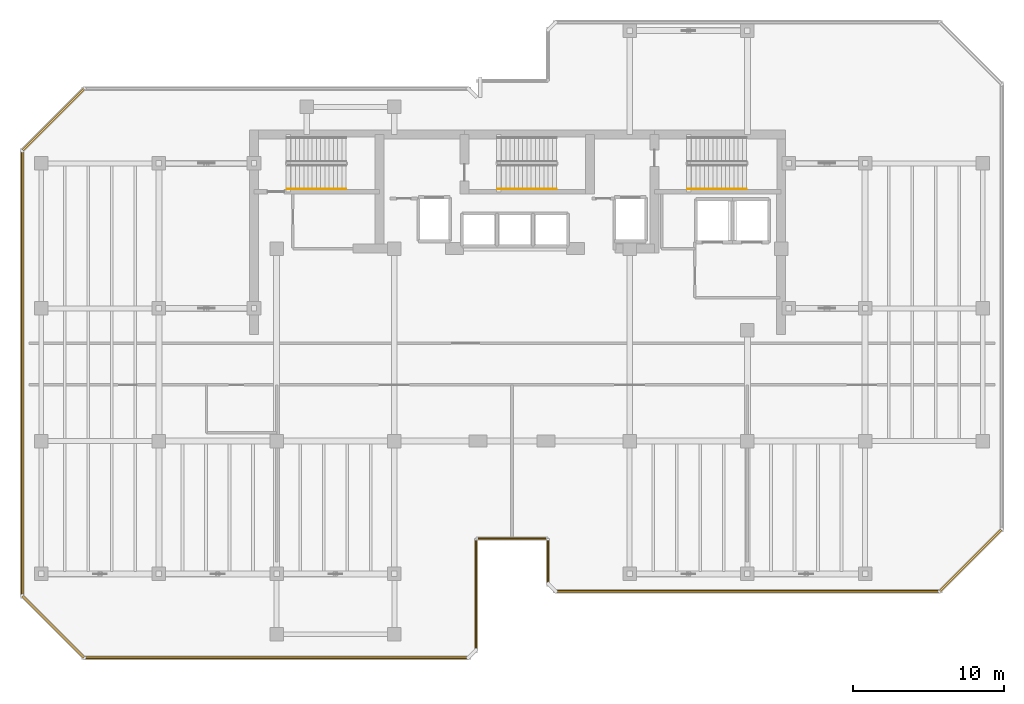
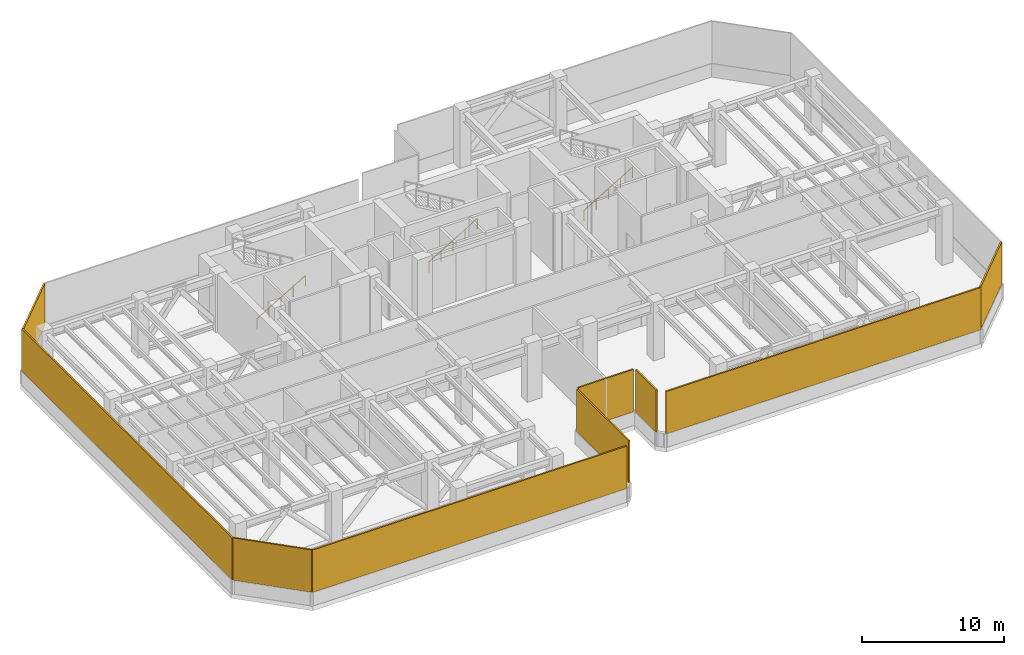
# One storey, part 6 of 9: 9 shading devices, 3 railings.
"""IFC4 building model written with IfcOpenShell, lengths in metres."""

from ifc_helpers import new_model, si_unit, direction, frame, origin, origin_2d, place, context, subcontext, project, spatial, rectangle, circle, extrude, material, layer, layer_set, type_object, element, save


model = new_model("IFC4")

# Units and contexts
model_context = context("Model", 3, precision=1e-05, world=origin(), true_north=direction((0.0, 1.0)))
body_context = subcontext(model_context, "Body", "Model", "MODEL_VIEW")
ifc_project = project(units=[si_unit("LENGTHUNIT", "METRE"), si_unit("AREAUNIT", "SQUARE_METRE"), si_unit("VOLUMEUNIT", "CUBIC_METRE"), si_unit("PLANEANGLEUNIT", "RADIAN"), si_unit("MASSUNIT", "GRAM", prefix="KILO")], contexts=[model_context])

# Site, building, storey
site_placement = place(None, origin())
site = spatial("IfcSite", under=ifc_project, at=site_placement, CompositionType="ELEMENT")
building_placement = place(site_placement, origin())
building = spatial("IfcBuilding", under=site, at=building_placement, Name="Kestravale Grand Hotel", CompositionType="ELEMENT")
storey_placement = place(building_placement, frame((0.0, 0.0, 240.39990234375)))
storey = spatial("IfcBuildingStorey", under=building, at=storey_placement, Name="L60", CompositionType="ELEMENT", Elevation=240.39990234375)

# Railings
ifc_material_1 = material(Name="Brushed stainless steel wall handrail", Category="steel")
railing_type = type_object("IfcRailingType", Name="RL-ST-HND900", PredefinedType="HANDRAIL", material=ifc_material_1)
for number, where, name in (
    (1, (24.080078125, 36.699951171875, 0.166748046875), "L60 ST-1 stair handrail 1"),
    (2, (38.030029296875, 36.699951171875, 0.166748046875), "L60 ST-2 stair handrail 1"),
):
    element("IfcRailing", number, at=place(storey_placement, frame(where)), inside=storey, type_object=railing_type, Name=name, PredefinedType="HANDRAIL", context=body_context, shape_type="SweptSolid", body=[
        extrude(circle(Radius=0.02392578125, at=origin_2d()), frame((0.0, 0.0, 0.8759765625), z_axis=(0.859296244711, 0.0, 0.511478214419), x_axis=(0.0, 1.0, 0.0)), (0.0, 0.0, 1.0), 4.561767578125),
        extrude(circle(Radius=0.02099609375, at=origin_2d()), origin(), (0.0, 0.0, 1.0), 0.851806640625),
        extrude(circle(Radius=0.02099609375, at=origin_2d()), frame((0.97998046875, 0.0, 0.583251953125)), (0.0, 0.0, 1.0), 0.851806640625),
        extrude(circle(Radius=0.02099609375, at=origin_2d()), frame((1.9599609375, 0.0, 1.16650390625)), (0.0, 0.0, 1.0), 0.851806640625),
        extrude(circle(Radius=0.02099609375, at=origin_2d()), frame((2.93994140625, 0.0, 1.75)), (0.0, 0.0, 1.0), 0.851806640625),
        extrude(circle(Radius=0.02099609375, at=origin_2d()), frame((3.919921875, 0.0, 2.333251953125)), (0.0, 0.0, 1.0), 0.851806640625),
    ])
railing_placement = place(storey_placement, frame((50.6298828125, 36.699951171875, 0.166748046875)))
element("IfcRailing", 3, at=railing_placement, inside=storey, type_object=railing_type, Name="L60 ST-3 stair handrail 1", PredefinedType="HANDRAIL", context=body_context, shape_type="SweptSolid", body=[
    extrude(circle(Radius=0.02392578125, at=origin_2d()), frame((0.0, 0.0, 0.8759765625), z_axis=(0.859310244771, 0.0, 0.511454693235), x_axis=(0.0, 1.0, 0.0)), (0.0, 0.0, 1.0), 4.56201171875),
    extrude(circle(Radius=0.02099609375, at=origin_2d()), origin(), (0.0, 0.0, 1.0), 0.851806640625),
    extrude(circle(Radius=0.02099609375, at=origin_2d()), frame((0.97998046875, 0.0, 0.583251953125)), (0.0, 0.0, 1.0), 0.851806640625),
    extrude(circle(Radius=0.02099609375, at=origin_2d()), frame((1.9599609375, 0.0, 1.16650390625)), (0.0, 0.0, 1.0), 0.851806640625),
    extrude(circle(Radius=0.02099609375, at=origin_2d()), frame((2.940185546875, 0.0, 1.75)), (0.0, 0.0, 1.0), 0.851806640625),
    extrude(circle(Radius=0.02099609375, at=origin_2d()), frame((3.920166015625, 0.0, 2.333251953125)), (0.0, 0.0, 1.0), 0.851806640625),
])

# Shading devices
ifc_material_2 = material(Name="Anodised bronze storm-proof acoustic ventilation louvre", Category="aluminium")
ifc_layer = layer(ifc_material_2, 0.1201171875)
ifc_layer_set = layer_set([ifc_layer], Name="SHD-LVR-REF")
shading_device_type = type_object("IfcShadingDeviceType", Name="SHD-LVR-REF", PredefinedType="JALOUSIE", material=ifc_layer_set)
shading_device_1_placement = place(storey_placement, frame((23.375, 5.639892578125, 1.130126953125), z_axis=(0.0, 0.0, 1.0), x_axis=(1.0, 0.0, 0.0)))
element("IfcShadingDevice", 4, at=shading_device_1_placement, inside=storey, type_object=shading_device_type, Name="L60 mechanical refuge chevron louvre 1", PredefinedType="JALOUSIE", context=body_context, shape_type="SweptSolid", body=[
    extrude(rectangle(XDim=25.530029296875, YDim=0.1201171875, at=origin_2d()), origin(), (0.0, 0.0, 1.0), 3.6298828125),
])
shading_device_2_placement = place(storey_placement, frame((36.610107421875, 9.75, 1.130126953125), z_axis=(0.0, 0.0, 1.0), x_axis=(0.0, 1.0, 0.0)))
element("IfcShadingDevice", 5, at=shading_device_2_placement, inside=storey, type_object=shading_device_type, Name="L60 mechanical refuge chevron louvre 3", PredefinedType="JALOUSIE", context=body_context, shape_type="SweptSolid", body=[
    extrude(rectangle(XDim=7.280029296875, YDim=0.1201171875, at=origin_2d()), origin(), (0.0, 0.0, 1.0), 3.6298828125),
])
shading_device_3_placement = place(storey_placement, frame((39.0, 13.5400390625, 1.130126953125), z_axis=(0.0, 0.0, 1.0), x_axis=(1.0, 0.0, 0.0)))
element("IfcShadingDevice", 6, at=shading_device_3_placement, inside=storey, type_object=shading_device_type, Name="L60 mechanical refuge chevron louvre 4", PredefinedType="JALOUSIE", context=body_context, shape_type="SweptSolid", body=[
    extrude(rectangle(XDim=4.47998046875, YDim=0.1201171875, at=origin_2d()), origin(), (0.0, 0.0, 1.0), 3.6298828125),
])
shading_device_4_placement = place(storey_placement, frame((41.389892578125, 11.949951171875, 1.130126953125), z_axis=(0.0, 0.0, 1.0), x_axis=(0.0, -1.0, 0.0)))
element("IfcShadingDevice", 7, at=shading_device_4_placement, inside=storey, type_object=shading_device_type, Name="L60 mechanical refuge chevron louvre 5", PredefinedType="JALOUSIE", context=body_context, shape_type="SweptSolid", body=[
    extrude(rectangle(XDim=2.8798828125, YDim=0.1201171875, at=origin_2d()), origin(), (0.0, 0.0, 1.0), 3.6298828125),
])
shading_device_5_placement = place(storey_placement, frame((54.625, 10.0400390625, 1.130126953125), z_axis=(0.0, 0.0, 1.0), x_axis=(1.0, 0.0, 0.0)))
element("IfcShadingDevice", 8, at=shading_device_5_placement, inside=storey, type_object=shading_device_type, Name="L60 mechanical refuge chevron louvre 7", PredefinedType="JALOUSIE", context=body_context, shape_type="SweptSolid", body=[
    extrude(rectangle(XDim=25.530029296875, YDim=0.1201171875, at=origin_2d()), origin(), (0.0, 0.0, 1.0), 3.6298828125),
])
for number, where, z_axis, x_axis, name in (
    (9, (69.40087890625, 12.09912109375, 1.130126953125), (0.0, 0.0, 1.0), (0.707106781187, 0.707106781187, 0.0), "L60 mechanical refuge chevron louvre 8"),
    (10, (8.59912109375, 41.301025390625, 1.130126953125), (0.0, 0.0, 1.0), (-0.707106781187, -0.707106781187, 0.0), "L60 mechanical refuge chevron louvre 18"),
):
    element("IfcShadingDevice", number, at=place(storey_placement, frame(where, z_axis=z_axis, x_axis=x_axis)), inside=storey, type_object=shading_device_type, Name=name, PredefinedType="JALOUSIE", context=body_context, shape_type="SweptSolid", body=[
        extrude(rectangle(XDim=5.7197265625, YDim=0.1201171875, at=origin_2d()), origin(), (0.0, 0.0, 1.0), 3.6298828125),
    ])
shading_device_6_placement = place(storey_placement, frame((6.5400390625, 24.5, 1.130126953125), z_axis=(0.0, 0.0, 1.0), x_axis=(0.0, -1.0, 0.0)))
element("IfcShadingDevice", 11, at=shading_device_6_placement, inside=storey, type_object=shading_device_type, Name="L60 mechanical refuge chevron louvre 19", PredefinedType="JALOUSIE", context=body_context, shape_type="SweptSolid", body=[
    extrude(rectangle(XDim=29.580078125, YDim=0.1201171875, at=origin_2d()), origin(), (0.0, 0.0, 1.0), 3.6298828125),
])
shading_device_7_placement = place(storey_placement, frame((8.59912109375, 7.698974609375, 1.130126953125), z_axis=(0.0, 0.0, 1.0), x_axis=(0.707106781187, -0.707106781187, 0.0)))
element("IfcShadingDevice", 12, at=shading_device_7_placement, inside=storey, type_object=shading_device_type, Name="L60 mechanical refuge chevron louvre 20", PredefinedType="JALOUSIE", context=body_context, shape_type="SweptSolid", body=[
    extrude(rectangle(XDim=5.7197265625, YDim=0.1201171875, at=origin_2d()), origin(), (0.0, 0.0, 1.0), 3.6298828125),
])

save(model, "model.ifc")
